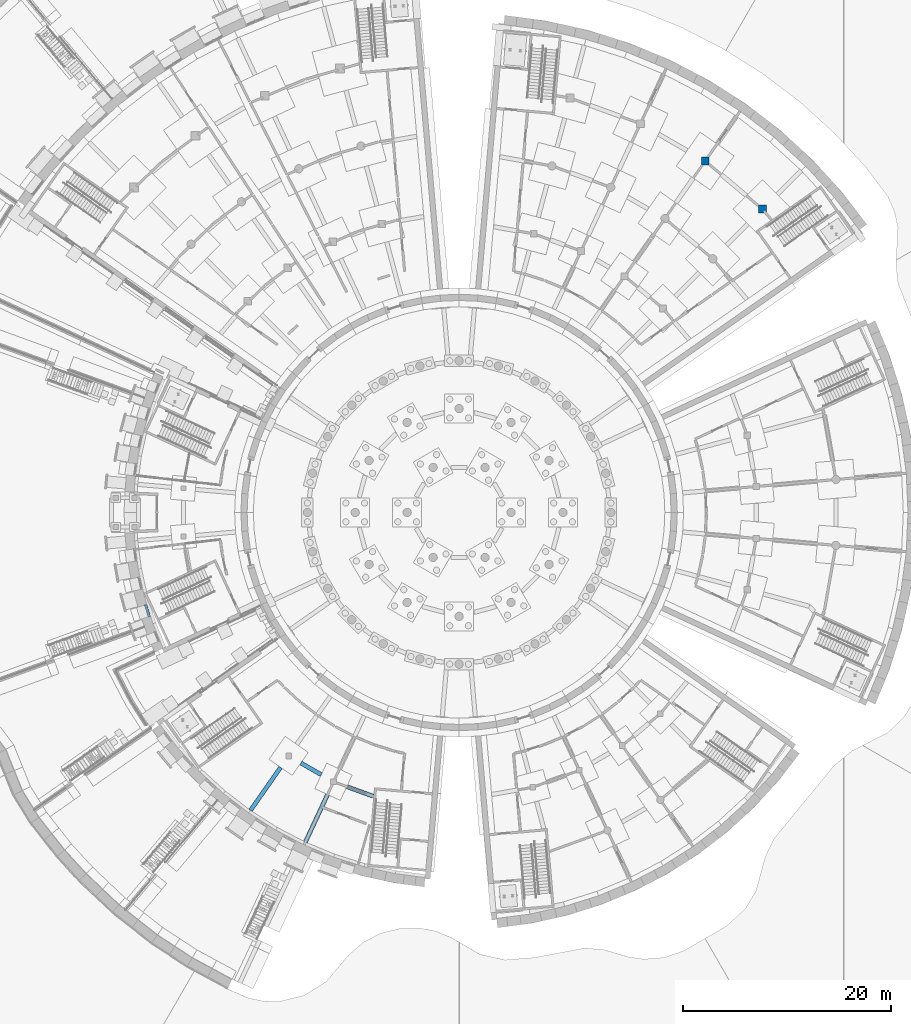
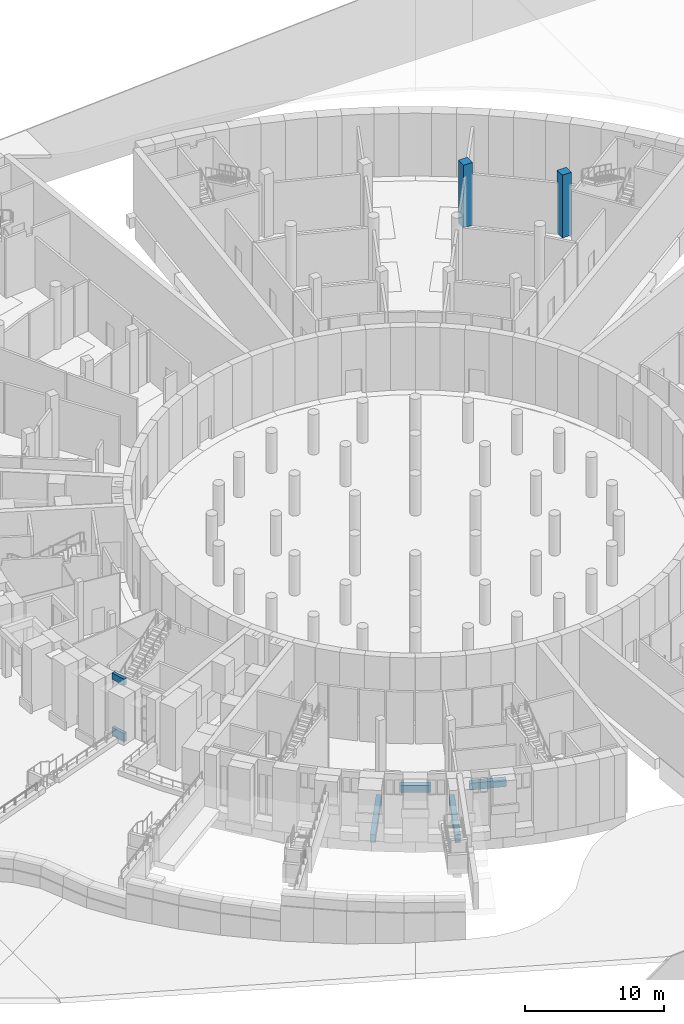
# One storey, part 11 of 65: 6 beams, 2 columns.
"""IFC4 building model written with IfcOpenShell, lengths in metres."""

from ifc_helpers import new_model, si_unit, direction, frame, origin, origin_2d, place, context, subcontext, project, spatial, rectangle, extrude, material, material_profile, profile_set, type_object, element, save


model = new_model("IFC4")

# Units and contexts
model_context = context("Model", 3, precision=1e-05, world=origin(), true_north=direction((0.0, 1.0)))
body_context = subcontext(model_context, "Body", "Model", "MODEL_VIEW")
ifc_project = project(units=[si_unit("LENGTHUNIT", "METRE"), si_unit("AREAUNIT", "SQUARE_METRE"), si_unit("VOLUMEUNIT", "CUBIC_METRE"), si_unit("PLANEANGLEUNIT", "RADIAN"), si_unit("MASSUNIT", "GRAM", prefix="KILO")], contexts=[model_context])

# Site, building, storey
site_placement = place(None, origin())
site = spatial("IfcSite", under=ifc_project, at=site_placement, CompositionType="ELEMENT")
building_placement = place(site_placement, origin())
building = spatial("IfcBuilding", under=site, at=building_placement, Name="Volute Hill Aquarium", CompositionType="ELEMENT")
storey_placement = place(building_placement, frame((0.0, 0.0, -5.5)))
storey = spatial("IfcBuildingStorey", under=building, at=storey_placement, Name="L00", CompositionType="ELEMENT", Elevation=-5.5)

# Columns
ifc_material_1 = material(Name="Concrete C35/45", Category="concrete")
ifc_material_profile_1 = material_profile(ifc_material_1, rectangle(XDim=0.75, YDim=0.75, at=origin_2d()), Name="RC column 750x750")
ifc_profile_set_1 = profile_set([ifc_material_profile_1], Name="Concrete C35/45")
column_type = type_object("IfcColumnType", Name="Column column 750x750 C35/45", PredefinedType="COLUMN", material=ifc_profile_set_1)
for number, where, z_axis, x_axis, name in (
    (1, (29.194580078125, 29.194580078125, 0.0), (0.0, 0.0, 1.0), (1.0, 0.0, 0.0), "col/S5/L00/3.1"),
    (2, (23.681396484375, 33.82080078125, 0.0), (0.0, 0.0, 1.0), (1.0, 0.0, 0.0), "col/S5/L00/3.2"),
):
    element("IfcColumn", number, at=place(storey_placement, frame(where, z_axis=z_axis, x_axis=x_axis)), inside=storey, type_object=column_type, Name=name, PredefinedType="COLUMN", context=body_context, shape_type="SweptSolid", body=[
        extrude(rectangle(XDim=0.75, YDim=0.75, at=origin_2d()), origin(), (0.0, 0.0, 1.0), 5.5),
    ])

# Beams
ifc_material_2 = material(Name="Concrete C35/45", Category="concrete")
ifc_material_profile_2 = material_profile(ifc_material_2, rectangle(XDim=0.25, YDim=0.550048828125, at=origin_2d()), Name="RC beam 250x550")
ifc_profile_set_2 = profile_set([ifc_material_profile_2], Name="Concrete C35/45")
beam_type_1 = type_object("IfcBeamType", Name="Niche head beam RC 250x550 C35/45", PredefinedType="BEAM", material=ifc_profile_set_2)
beam_1_placement = place(storey_placement, frame((-30.168701171875, -8.88671875, 5.22509765625), z_axis=(0.300651374737, -0.953734109104, 0.0), x_axis=(0.953734109104, 0.300651374737, 0.0)))
element("IfcBeam", 3, at=beam_1_placement, inside=storey, type_object=beam_type_1, Name="Niche head beam OWB S1 L00 9", PredefinedType="BEAM", context=body_context, shape_type="SweptSolid", body=[
    extrude(rectangle(XDim=0.25, YDim=0.550048828125, at=origin_2d()), origin(), (0.0, 0.0, 1.0), 1.19287109375),
])
ifc_material_3 = material(Name="Concrete C35/45", Category="concrete")
ifc_material_profile_3 = material_profile(ifc_material_3, rectangle(XDim=0.25, YDim=0.75, at=origin_2d()), Name="RC beam 250x750")
ifc_profile_set_3 = profile_set([ifc_material_profile_3], Name="Concrete C35/45")
beam_type_2 = type_object("IfcBeamType", Name="Niche sill beam RC 250x750 C35/45", PredefinedType="BEAM", material=ifc_profile_set_3)
beam_2_placement = place(storey_placement, frame((-30.168701171875, -8.88671875, 0.375), z_axis=(0.300651374737, -0.953734109104, 0.0), x_axis=(0.953734109104, 0.300651374737, 0.0)))
element("IfcBeam", 4, at=beam_2_placement, inside=storey, type_object=beam_type_2, Name="Niche sill beam OWB S1 L00 9", PredefinedType="BEAM", context=body_context, shape_type="SweptSolid", body=[
    extrude(rectangle(XDim=0.25, YDim=0.75, at=origin_2d()), origin(), (0.0, 0.0, 1.0), 1.19287109375),
])
ifc_material_4 = material(Name="Concrete C30/37", Category="concrete")
ifc_material_profile_4 = material_profile(ifc_material_4, rectangle(XDim=0.39990234375, YDim=0.60009765625, at=origin_2d()), Name="RC tie beam 400x600")
ifc_profile_set_4 = profile_set([ifc_material_profile_4], Name="Concrete C30/37")
beam_type_3 = type_object("IfcBeamType", Name="Tie beam 400x600 C30/37", PredefinedType="BEAM", material=ifc_profile_set_4)
beam_3_placement = place(storey_placement, frame((-15.215576171875, -24.114013671875, -0.580078125), z_axis=(0.866007717299, -0.500030632641, 0.0), x_axis=(0.500030632641, 0.866007717299, 0.0)))
element("IfcBeam", 5, at=beam_3_placement, inside=storey, type_object=beam_type_3, Name="tb/S2/L00/7", PredefinedType="BEAM", context=body_context, shape_type="SweptSolid", body=[
    extrude(rectangle(XDim=0.39990234375, YDim=0.60009765625, at=origin_2d()), origin(), (0.0, 0.0, 1.0), 2.239990234375),
])
beam_4_placement = place(storey_placement, frame((-10.76318359375, -26.402099609375, -0.580078125), z_axis=(0.939683512966, -0.342045165819, 0.0), x_axis=(0.342045165819, 0.939683512966, 0.0)))
element("IfcBeam", 6, at=beam_4_placement, inside=storey, type_object=beam_type_3, Name="tb/S2/L00/10", PredefinedType="BEAM", context=body_context, shape_type="SweptSolid", body=[
    extrude(rectangle(XDim=0.39990234375, YDim=0.60009765625, at=origin_2d()), origin(), (0.0, 0.0, 1.0), 2.66015625),
])
ifc_material_5 = material(Name="Concrete C30/37", Category="concrete")
ifc_material_profile_5 = material_profile(ifc_material_5, rectangle(XDim=0.39990234375, YDim=0.699951171875, at=origin_2d()), Name="RC tie beam 400x700")
ifc_profile_set_5 = profile_set([ifc_material_profile_5], Name="Concrete C30/37")
beam_type_4 = type_object("IfcBeamType", Name="Tie beam 400x700 C30/37", PredefinedType="BEAM", material=ifc_profile_set_5)
for number, where, z_axis, x_axis, name in (
    (7, (-17.183837890625, -24.541015625, -0.6298828125), (-0.573589333007, -0.819143013802, 0.0), (0.819143013802, -0.573589333007, 0.0), "tb/S2/L00/9"),
    (8, (-12.6611328125, -27.152099609375, -0.6298828125), (-0.422633124206, -0.906300856407, 0.0), (0.906300856407, -0.422633124206, 0.0), "tb/S2/L00/12"),
):
    element("IfcBeam", number, at=place(storey_placement, frame(where, z_axis=z_axis, x_axis=x_axis)), inside=storey, type_object=beam_type_4, Name=name, PredefinedType="BEAM", context=body_context, shape_type="SweptSolid", body=[
        extrude(rectangle(XDim=0.39990234375, YDim=0.699951171875, at=origin_2d()), origin(), (0.0, 0.0, 1.0), 5.031982421875),
    ])

save(model, "model.ifc")
